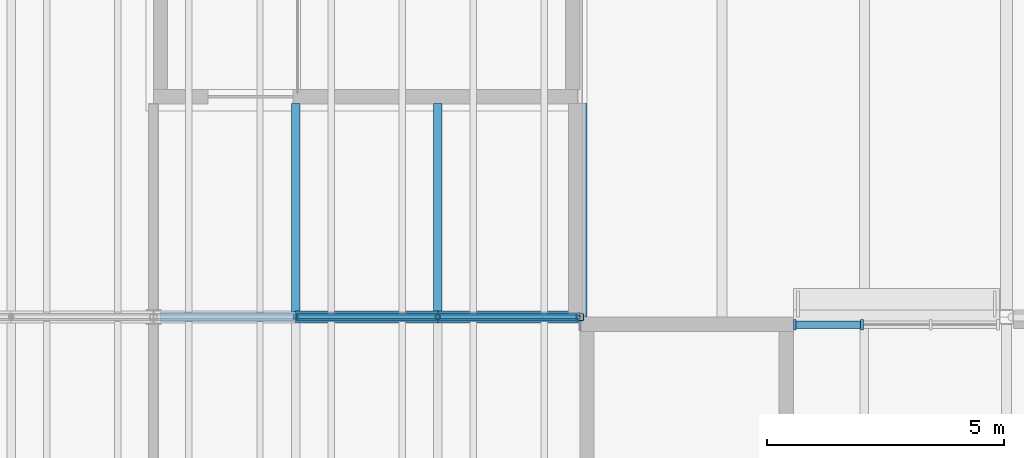
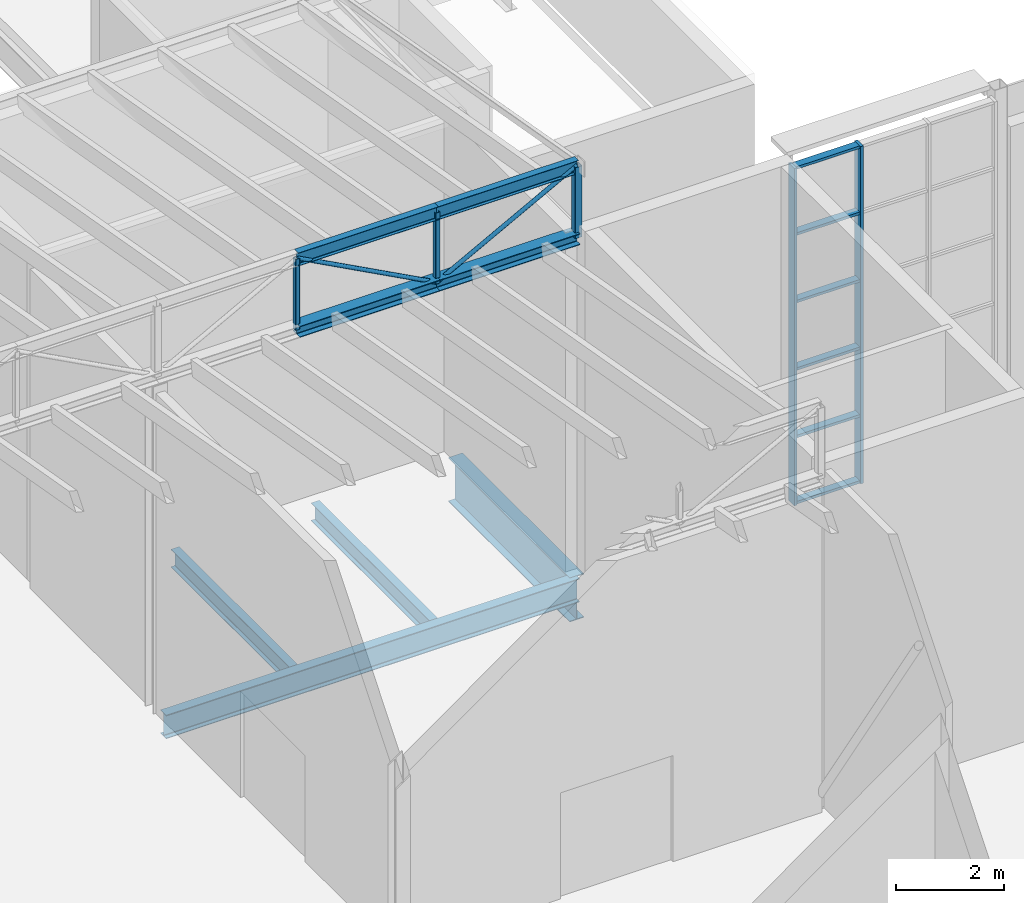
# One storey, part 60 of 90: 17 members, 4 beams, 1 element without a shape of its own.
"""IFC4 building model written with IfcOpenShell, lengths in metres."""

import ifcopenshell
import ifcopenshell.guid

model = None  # the IFC model being written
_history = None  # IfcOwnerHistory: only IFC2X3 demands one
_inside = {}  # id of a spatial element -> (the spatial element, [elements in it])
_under = {}  # id of a project, library or spatial element -> (it, [spatial elements below it])
_declared = {}  # id of a project -> (the project, [libraries it declares])
_typed = {}  # id of a type object -> (the type object, [elements of that type])
_made_of = {}  # id of a material, layer set ... -> (it, [elements and type objects made of it])


def new_model(schema):
    """Start an empty IFC model of exactly this schema.

    Asked for "IFC4X3", IfcOpenShell would pick the latest addendum, in which some entities
    have other attributes; the version numbers below select the first issue.
    IFC2X3 requires an IfcOwnerHistory on every rooted entity: one is made here for all.
    """
    global model, _history
    if schema == "IFC4X3":
        model = ifcopenshell.file(schema_version=(4, 3, 0, 0))
    else:
        model = ifcopenshell.file(schema=schema)
    _inside.clear()
    _under.clear()
    _declared.clear()
    _typed.clear()
    _made_of.clear()
    _history = None
    if model.schema == "IFC2X3":
        org = make("IfcOrganization", Name="unknown")
        user = make(
            "IfcPersonAndOrganization",
            ThePerson=make("IfcPerson", FamilyName="unknown"),
            TheOrganization=org,
        )
        app = make(
            "IfcApplication",
            ApplicationDeveloper=org,
            Version="unknown",
            ApplicationFullName="unknown",
            ApplicationIdentifier="unknown",
        )
        _history = make(
            "IfcOwnerHistory",
            OwningUser=user,
            OwningApplication=app,
            ChangeAction="ADDED",
            CreationDate=0,
        )
    return model


def make(cls, **values):
    """One entity of the class cls with the attributes given. An attribute that is None is left unset."""
    return model.create_entity(
        cls, **{name: value for name, value in values.items() if value is not None}
    )


def rooted(cls, **values):
    """An entity with a GlobalId (a new one), such as an element, a storey or a relation."""
    return make(cls, GlobalId=ifcopenshell.guid.new(), OwnerHistory=_history, **values)


def si_unit(unit_type, name, prefix=None):
    """IfcSIUnit, for example si_unit("LENGTHUNIT", "METRE", prefix="MILLI")."""
    return make("IfcSIUnit", UnitType=unit_type, Prefix=prefix, Name=name)


def assignment(units):
    """IfcUnitAssignment: the units of a project."""
    return None if units is None else make("IfcUnitAssignment", Units=units)


def point(xyz):
    """IfcCartesianPoint."""
    return None if xyz is None else make("IfcCartesianPoint", Coordinates=xyz)


def direction(xyz):
    """IfcDirection."""
    return None if xyz is None else make("IfcDirection", DirectionRatios=xyz)


def frame(location, z_axis=None, x_axis=None):
    """IfcAxis2Placement3D, a coordinate frame: its origin and axes. An axis left out is left unset."""
    return make(
        "IfcAxis2Placement3D",
        Location=point(location),
        Axis=direction(z_axis),
        RefDirection=direction(x_axis),
    )


def frame_2d(location, x_axis=None):
    """IfcAxis2Placement2D, a coordinate frame in the plane: its origin and x axis."""
    return make(
        "IfcAxis2Placement2D", Location=point(location), RefDirection=direction(x_axis)
    )


def origin():
    """The frame at (0, 0, 0) with its axes left unset."""
    return frame((0.0, 0.0, 0.0))


def origin_2d():
    """The frame at (0, 0) in the plane with its x axis left unset."""
    return frame_2d((0.0, 0.0))


def place(relative_to, where):
    """IfcLocalPlacement: puts the frame where relative to a parent placement (None: the world)."""
    return make(
        "IfcLocalPlacement", PlacementRelTo=relative_to, RelativePlacement=where
    )


def context(
    kind, dimensions, precision=None, world=None, true_north=None, identifier=None
):
    """IfcGeometricRepresentationContext, for example the 3D "Model" context."""
    return make(
        "IfcGeometricRepresentationContext",
        ContextIdentifier=identifier,
        ContextType=kind,
        CoordinateSpaceDimension=dimensions,
        Precision=precision,
        WorldCoordinateSystem=world,
        TrueNorth=true_north,
    )


def subcontext(parent, identifier, kind, view, scale=None):
    """IfcGeometricRepresentationSubContext, for example "Body" below "Model"."""
    return make(
        "IfcGeometricRepresentationSubContext",
        ContextIdentifier=identifier,
        ContextType=kind,
        ParentContext=parent,
        TargetScale=scale,
        TargetView=view,
    )


def project(units=None, contexts=None):
    """IfcProject with its units and contexts."""
    return rooted(
        "IfcProject",
        Name="project",
        RepresentationContexts=contexts,
        UnitsInContext=assignment(units),
    )


def spatial(cls, under=None, at=None, **own):
    """A site, building, storey or space (cls), placed at a placement, below another one or the project."""
    s = rooted(cls, ObjectPlacement=at, **own)
    if under is not None:
        _under.setdefault(under.id(), (under, []))[1].append(s)
    return s


def profile(cls, at=None, kind="AREA", **sizes):
    """A parametric profile (cls). Its sizes go by their IFC names, for example OverallWidth=200.0."""
    return make(cls, ProfileType=kind, Position=at, **sizes)


def rectangle(**sizes):
    """IfcRectangleProfileDef."""
    return profile("IfcRectangleProfileDef", **sizes)


def hollow_rectangle(**sizes):
    """IfcRectangleHollowProfileDef."""
    return profile("IfcRectangleHollowProfileDef", **sizes)


def hollow_circle(**sizes):
    """IfcCircleHollowProfileDef."""
    return profile("IfcCircleHollowProfileDef", **sizes)


def i_section(**sizes):
    """IfcIShapeProfileDef."""
    return profile("IfcIShapeProfileDef", **sizes)


def extrude(swept, where, along, depth):
    """IfcExtrudedAreaSolid: the profile swept, set in the frame where, extruded along a direction by depth."""
    return make(
        "IfcExtrudedAreaSolid",
        SweptArea=swept,
        Position=where,
        ExtrudedDirection=direction(along),
        Depth=depth,
    )


def shape(context_of_items, identifier, shape_type, items):
    """IfcShapeRepresentation: the items that make up one representation, for example the "Body"."""
    return make(
        "IfcShapeRepresentation",
        ContextOfItems=context_of_items,
        RepresentationIdentifier=identifier,
        RepresentationType=shape_type,
        Items=items,
    )


def material(Name=None, Category=None):
    """IfcMaterial."""
    return make("IfcMaterial", Name=Name, Category=Category)


def layer(
    of_material, thickness, ventilated=None, Name=None, Category=None, Priority=None
):
    """IfcMaterialLayer: one layer of a wall or slab, of a material (None: an air gap)."""
    return make(
        "IfcMaterialLayer",
        Material=of_material,
        LayerThickness=thickness,
        IsVentilated=ventilated,
        Name=Name,
        Category=Category,
        Priority=Priority,
    )


def layer_set(layers, Name=None):
    """IfcMaterialLayerSet."""
    return make("IfcMaterialLayerSet", MaterialLayers=layers, LayerSetName=Name)


def material_profile(
    of_material, cross_section, Name=None, Category=None, Priority=None
):
    """IfcMaterialProfile: a cross section and its material."""
    return make(
        "IfcMaterialProfile",
        Name=Name,
        Material=of_material,
        Profile=cross_section,
        Priority=Priority,
        Category=Category,
    )


def profile_set(profiles, Name=None, composite=None):
    """IfcMaterialProfileSet."""
    return make(
        "IfcMaterialProfileSet",
        Name=Name,
        MaterialProfiles=profiles,
        CompositeProfile=composite,
    )


def made_of(thing, what):
    """Note that an element or type object is made of a material, layer set ...; save() writes the relation."""
    if what is not None:
        _made_of.setdefault(what.id(), (what, []))[1].append(thing)
    return thing


def type_object(cls, material=None, **own):
    """A type object (cls), such as IfcWallType, which elements share."""
    return made_of(rooted(cls, **own), material)


def element(
    cls,
    number,
    at=None,
    inside=None,
    cuts=None,
    type_object=None,
    material=None,
    context=None,
    identifier="Body",
    shape_type=None,
    held_by="IfcProductDefinitionShape",
    body=None,
    shapes=None,
    **own,
):
    """One element of the class cls, such as IfcWall. Its Tag is "e" and its number.

    at: its placement. inside: the storey or other place that contains it. cuts: it is an
    opening in that element (IfcRelVoidsElement). A single representation is given by context,
    identifier, shape_type and body (its items); several are given by shapes. held_by: the class
    of the entity that holds the representations. save() writes the other relations.
    """
    e = rooted(cls, Tag="e%d" % number, ObjectPlacement=at, **own)
    if body is not None:
        shapes = [shape(context, identifier, shape_type, body)]
    if shapes is not None:
        e.Representation = make(held_by, Representations=shapes)
    if inside is not None:
        _inside.setdefault(inside.id(), (inside, []))[1].append(e)
    if cuts is not None:
        rooted(
            "IfcRelVoidsElement", RelatingBuildingElement=cuts, RelatedOpeningElement=e
        )
    if type_object is not None:
        _typed.setdefault(type_object.id(), (type_object, []))[1].append(e)
    return made_of(e, material)


def aggregate(whole, parts):
    """IfcRelAggregates: a whole, such as a stair, and the parts it consists of."""
    return rooted("IfcRelAggregates", RelatingObject=whole, RelatedObjects=parts)


def save(model, path):
    """Write the relations noted so far, then the file.

    IfcRelAggregates (storeys below a building ...), IfcRelContainedInSpatialStructure (elements
    in a storey), IfcRelDefinesByType, IfcRelAssociatesMaterial and IfcRelDeclares: one each for
    every whole, place, type object, material and project.
    """
    for whole, parts in _under.values():
        aggregate(whole, parts)
    for where, things in _inside.values():
        rooted(
            "IfcRelContainedInSpatialStructure",
            RelatedElements=things,
            RelatingStructure=where,
        )
    for kind, things in _typed.values():
        rooted("IfcRelDefinesByType", RelatedObjects=things, RelatingType=kind)
    for what, things in _made_of.values():
        rooted("IfcRelAssociatesMaterial", RelatedObjects=things, RelatingMaterial=what)
    for by, libraries in _declared.values():
        rooted("IfcRelDeclares", RelatingContext=by, RelatedDefinitions=libraries)
    model.write(path)


model = new_model("IFC4")

# Units and contexts
model_context = context("Model", 3, precision=1e-05, world=origin(), true_north=direction((0.0, 1.0)))
body_context = subcontext(model_context, "Body", "Model", "MODEL_VIEW")
ifc_project = project(units=[si_unit("LENGTHUNIT", "METRE"), si_unit("AREAUNIT", "SQUARE_METRE"), si_unit("VOLUMEUNIT", "CUBIC_METRE"), si_unit("PLANEANGLEUNIT", "RADIAN"), si_unit("MASSUNIT", "GRAM", prefix="KILO")], contexts=[model_context])

# Site, building, storey
site_placement = place(None, origin())
site = spatial("IfcSite", under=ifc_project, at=site_placement, CompositionType="ELEMENT")
building_placement = place(site_placement, origin())
building = spatial("IfcBuilding", under=site, at=building_placement, Name="Halyard Row Museum", CompositionType="ELEMENT")
storey_placement = place(building_placement, frame((0.0, 0.0, 13.39990234375)))
storey = spatial("IfcBuildingStorey", under=building, at=storey_placement, Name="L03", CompositionType="ELEMENT", Elevation=13.39990234375)

# Curtain wall, members
ifc_material_1 = material(Name="Double glazed unit, low-emissivity", Category="glass")
ifc_layer = layer(ifc_material_1, 0.219970703125)
ifc_layer_set = layer_set([ifc_layer], Name="Double glazed unit, low-emissivity")
curtain_wall_type = type_object("IfcCurtainWallType", Name="Curtain wall unitised 220 deep", PredefinedType="NOTDEFINED", material=ifc_layer_set)
curtain_wall_placement = place(storey_placement, origin())
curtain_wall = element("IfcCurtainWall", 1, at=curtain_wall_placement, inside=storey, type_object=curtain_wall_type, Name="Curtain wall CW052", PredefinedType="NOTDEFINED")
ifc_material_2 = material(Name="Powder-coated aluminium section", Category="aluminium")
ifc_material_profile_1 = material_profile(ifc_material_2, rectangle(XDim=0.219970703125, YDim=0.06005859375, at=origin_2d()), Name="220x60 mullion")
ifc_profile_set_1 = profile_set([ifc_material_profile_1], Name="Powder-coated aluminium section")
member_type_1 = type_object("IfcMemberType", Name="Curtain wall mullion CM3 60 x 220", PredefinedType="MULLION", material=ifc_profile_set_1)
member_1_placement = place(storey_placement, frame((77.949951171875, 35.840087890625, 0.0), z_axis=(0.0, 0.0, 1.0), x_axis=(0.0, -1.0, 0.0)))
member_1 = element("IfcMember", 2, at=member_1_placement, type_object=member_type_1, Name="CW052 mullion 3", PredefinedType="MULLION", context=body_context, shape_type="SweptSolid", body=[
    extrude(rectangle(XDim=0.219970703125, YDim=0.06005859375, at=origin_2d()), origin(), (0.0, 0.0, 1.0), 7.635009765625),
])
member_2_placement = place(storey_placement, frame((76.530029296875, 35.840087890625, 0.0), z_axis=(0.0, 0.0, 1.0), x_axis=(0.0, -1.0, 0.0)))
member_2 = element("IfcMember", 3, at=member_2_placement, type_object=member_type_1, Name="CW052 mullion 4", PredefinedType="MULLION", context=body_context, shape_type="SweptSolid", body=[
    extrude(rectangle(XDim=0.219970703125, YDim=0.06005859375, at=origin_2d()), origin(), (0.0, 0.0, 1.0), 7.635009765625),
])
ifc_material_3 = material(Name="Powder-coated aluminium section", Category="aluminium")
ifc_material_profile_2 = material_profile(ifc_material_3, rectangle(XDim=0.159912109375, YDim=0.06005859375, at=origin_2d()), Name="160x60 transom")
ifc_profile_set_2 = profile_set([ifc_material_profile_2], Name="Powder-coated aluminium section")
member_type_2 = type_object("IfcMemberType", Name="Curtain wall transom CT3 60 x 160", PredefinedType="USERDEFINED", material=ifc_profile_set_2)
member_3_placement = place(storey_placement, frame((77.919921875, 35.840087890625, 0.030029296875), z_axis=(-1.0, 0.0, 0.0), x_axis=(0.0, -1.0, 0.0)))
member_3 = element("IfcMember", 4, at=member_3_placement, type_object=member_type_2, Name="CW052 transom 3.1", ObjectType="TRANSOM", PredefinedType="USERDEFINED", context=body_context, shape_type="SweptSolid", body=[
    extrude(rectangle(XDim=0.159912109375, YDim=0.06005859375, at=origin_2d()), origin(), (0.0, 0.0, 1.0), 1.35986328125),
])
member_4_placement = place(storey_placement, frame((77.919921875, 35.840087890625, 1.527099609375), z_axis=(-1.0, 0.0, 0.0), x_axis=(0.0, -1.0, 0.0)))
member_4 = element("IfcMember", 5, at=member_4_placement, type_object=member_type_2, Name="CW052 transom 3.2", ObjectType="TRANSOM", PredefinedType="USERDEFINED", context=body_context, shape_type="SweptSolid", body=[
    extrude(rectangle(XDim=0.159912109375, YDim=0.06005859375, at=origin_2d()), origin(), (0.0, 0.0, 1.0), 1.35986328125),
])
member_5_placement = place(storey_placement, frame((77.919921875, 35.840087890625, 3.05419921875), z_axis=(-1.0, 0.0, 0.0), x_axis=(0.0, -1.0, 0.0)))
member_5 = element("IfcMember", 6, at=member_5_placement, type_object=member_type_2, Name="CW052 transom 3.3", ObjectType="TRANSOM", PredefinedType="USERDEFINED", context=body_context, shape_type="SweptSolid", body=[
    extrude(rectangle(XDim=0.159912109375, YDim=0.06005859375, at=origin_2d()), origin(), (0.0, 0.0, 1.0), 1.35986328125),
])
member_6_placement = place(storey_placement, frame((77.919921875, 35.840087890625, 4.5810546875), z_axis=(-1.0, 0.0, 0.0), x_axis=(0.0, -1.0, 0.0)))
member_6 = element("IfcMember", 7, at=member_6_placement, type_object=member_type_2, Name="CW052 transom 3.4", ObjectType="TRANSOM", PredefinedType="USERDEFINED", context=body_context, shape_type="SweptSolid", body=[
    extrude(rectangle(XDim=0.159912109375, YDim=0.06005859375, at=origin_2d()), origin(), (0.0, 0.0, 1.0), 1.35986328125),
])
member_7_placement = place(storey_placement, frame((77.919921875, 35.840087890625, 6.108154296875), z_axis=(-1.0, 0.0, 0.0), x_axis=(0.0, -1.0, 0.0)))
member_7 = element("IfcMember", 8, at=member_7_placement, type_object=member_type_2, Name="CW052 transom 3.5", ObjectType="TRANSOM", PredefinedType="USERDEFINED", context=body_context, shape_type="SweptSolid", body=[
    extrude(rectangle(XDim=0.159912109375, YDim=0.06005859375, at=origin_2d()), origin(), (0.0, 0.0, 1.0), 1.35986328125),
])
member_8_placement = place(storey_placement, frame((77.919921875, 35.840087890625, 7.60498046875), z_axis=(-1.0, 0.0, 0.0), x_axis=(0.0, -1.0, 0.0)))
member_8 = element("IfcMember", 9, at=member_8_placement, type_object=member_type_2, Name="CW052 transom 3.6", ObjectType="TRANSOM", PredefinedType="USERDEFINED", context=body_context, shape_type="SweptSolid", body=[
    extrude(rectangle(XDim=0.159912109375, YDim=0.06005859375, at=origin_2d()), origin(), (0.0, 0.0, 1.0), 1.35986328125),
])
aggregate(curtain_wall, [member_1, member_2, member_3, member_4, member_5, member_6, member_7, member_8])

# Beams
ifc_material_4 = material(Name="Steel Grade 300", Category="steel")
ifc_material_profile_3 = material_profile(ifc_material_4, i_section(OverallWidth=0.208984375, OverallDepth=0.532958984375, WebThickness=0.01025390625, FlangeThickness=0.015625, FilletRadius=0.013916015625, at=origin_2d()), Name="530UB92.4")
ifc_profile_set_3 = profile_set([ifc_material_profile_3], Name="Steel Grade 300")
beam_type_1 = type_object("IfcBeamType", Name="Girder beam 530UB92.4", PredefinedType="BEAM", material=ifc_profile_set_3)
beam_1_placement = place(storey_placement, frame((63.152587890625, 36.0, -0.431396484375), z_axis=(1.0, 0.0, 0.0), x_axis=(0.0, 1.0, 0.0)))
element("IfcBeam", 10, at=beam_1_placement, inside=storey, type_object=beam_type_1, Name="Beam L03-031", PredefinedType="BEAM", context=body_context, shape_type="SweptSolid", body=[
    extrude(i_section(OverallWidth=0.208984375, OverallDepth=0.532958984375, WebThickness=0.01025390625, FlangeThickness=0.015625, FilletRadius=0.013916015625, at=origin_2d()), origin(), (0.0, 0.0, 1.0), 8.847412109375),
])
ifc_material_5 = material(Name="Steel Grade 300", Category="steel")
ifc_material_profile_4 = material_profile(ifc_material_5, i_section(OverallWidth=0.177978515625, OverallDepth=0.406494140625, WebThickness=0.0078125, FlangeThickness=0.0126953125, FilletRadius=0.011474609375, at=origin_2d()), Name="410UB59.7")
ifc_profile_set_4 = profile_set([ifc_material_profile_4], Name="Steel Grade 300")
beam_type_2 = type_object("IfcBeamType", Name="Secondary beam 410UB59.7", PredefinedType="BEAM", material=ifc_profile_set_4)
for number, where, z_axis, x_axis, name in (
    (11, (66.0, 36.1044921875, -0.3681640625), (0.0, 1.0, 0.0), (-1.0, 0.0, 0.0), "Beam L03-131"),
    (12, (69.0, 36.1044921875, -0.3681640625), (0.0, 1.0, 0.0), (-1.0, 0.0, 0.0), "Beam L03-132"),
):
    element("IfcBeam", number, at=place(storey_placement, frame(where, z_axis=z_axis, x_axis=x_axis)), inside=storey, type_object=beam_type_2, Name=name, PredefinedType="BEAM", context=body_context, shape_type="SweptSolid", body=[
        extrude(i_section(OverallWidth=0.177978515625, OverallDepth=0.406494140625, WebThickness=0.0078125, FlangeThickness=0.0126953125, FilletRadius=0.011474609375, at=origin_2d()), origin(), (0.0, 0.0, 1.0), 4.3955078125),
    ])
ifc_material_6 = material(Name="Steel Grade 300", Category="steel")
ifc_material_profile_5 = material_profile(ifc_material_6, i_section(OverallWidth=0.300048828125, OverallDepth=1.0, WebThickness=0.01611328125, FlangeThickness=0.02001953125, at=origin_2d()), Name="1000WB215")
ifc_profile_set_5 = profile_set([ifc_material_profile_5], Name="Steel Grade 300")
beam_type_3 = type_object("IfcBeamType", Name="Stepped beam 1000WB215", PredefinedType="BEAM", material=ifc_profile_set_5)
beam_2_placement = place(storey_placement, frame((72.0, 36.0, -0.664794921875), z_axis=(0.0, 1.0, 0.0), x_axis=(-1.0, 0.0, 0.0)))
element("IfcBeam", 13, at=beam_2_placement, inside=storey, type_object=beam_type_3, Name="Beam L03-054", PredefinedType="BEAM", context=body_context, shape_type="SweptSolid", body=[
    extrude(i_section(OverallWidth=0.300048828125, OverallDepth=1.0, WebThickness=0.01611328125, FlangeThickness=0.02001953125, at=origin_2d()), origin(), (0.0, 0.0, 1.0), 4.5),
])

# Members
ifc_material_7 = material(Name="Steel Grade 300", Category="steel")
ifc_material_profile_6 = material_profile(ifc_material_7, i_section(OverallWidth=0.25390625, OverallDepth=0.25390625, WebThickness=0.008544921875, FlangeThickness=0.01416015625, FilletRadius=0.013916015625, at=origin_2d()), Name="250UC72.9")
ifc_profile_set_6 = profile_set([ifc_material_profile_6], Name="Steel Grade 300")
member_type_3 = type_object("IfcMemberType", Name="Valley truss bottom chord 250UC72.9", PredefinedType="CHORD", material=ifc_profile_set_6)
for number, where, z_axis, x_axis, name in (
    (14, (66.0, 36.0, 7.527099609375), (1.0, 0.0, 0.0), (0.0, 1.0, 0.0), "V1-VT3 bottom chord 5.2"),
    (15, (69.0, 36.0, 7.527099609375), (1.0, 0.0, 0.0), (0.0, 1.0, 0.0), "V1-VT3 bottom chord 5.3"),
):
    element("IfcMember", number, at=place(storey_placement, frame(where, z_axis=z_axis, x_axis=x_axis)), inside=storey, type_object=member_type_3, Name=name, PredefinedType="CHORD", context=body_context, shape_type="SweptSolid", body=[
        extrude(i_section(OverallWidth=0.25390625, OverallDepth=0.25390625, WebThickness=0.008544921875, FlangeThickness=0.01416015625, FilletRadius=0.013916015625, at=origin_2d()), origin(), (0.0, 0.0, 1.0), 3.0),
    ])
ifc_material_8 = material(Name="Steel Grade C250L0", Category="steel")
ifc_material_profile_7 = material_profile(ifc_material_8, hollow_circle(Radius=0.04443359375, WallThickness=0.0048828125, at=origin_2d()), Name="88.9x5.0CHS")
ifc_profile_set_7 = profile_set([ifc_material_profile_7], Name="Steel Grade C250L0")
member_type_4 = type_object("IfcMemberType", Name="Valley truss diagonal 88.9x5.0CHS", PredefinedType="BRACE", material=ifc_profile_set_7)
for number, where, z_axis, x_axis, name in (
    (16, (66.0, 36.0, 9.131103515625), (0.881863759518, 0.0, -0.471504305016), (0.0, 1.0, 0.0), "V1-VT3 diagonal 5.2"),
    (17, (69.0, 36.0, 7.527099609375), (0.881863759518, 0.0, 0.471504305016), (0.0, 1.0, 0.0), "V1-VT3 diagonal 5.3"),
):
    element("IfcMember", number, at=place(storey_placement, frame(where, z_axis=z_axis, x_axis=x_axis)), inside=storey, type_object=member_type_4, Name=name, PredefinedType="BRACE", context=body_context, shape_type="SweptSolid", body=[
        extrude(hollow_circle(Radius=0.04443359375, WallThickness=0.0048828125, at=origin_2d()), origin(), (0.0, 0.0, 1.0), 3.40185546875),
    ])
ifc_material_9 = material(Name="Steel Grade C350L0", Category="steel")
ifc_material_profile_8 = material_profile(ifc_material_9, hollow_rectangle(XDim=0.10009765625, YDim=0.10009765625, WallThickness=0.006103515625, InnerFilletRadius=0.009033203125, OuterFilletRadius=0.014892578125, at=origin_2d()), Name="100x100x6.0SHS")
ifc_profile_set_8 = profile_set([ifc_material_profile_8], Name="Steel Grade C350L0")
member_type_5 = type_object("IfcMemberType", Name="Valley truss post 100x100x6.0SHS", PredefinedType="POST", material=ifc_profile_set_8)
for number, where, z_axis, x_axis, name in (
    (18, (66.0, 36.0, 7.527099609375), (0.0, 0.0, 1.0), (1.0, 0.0, 0.0), "V1-VT3 post 5.1"),
    (19, (69.0, 36.0, 7.527099609375), (0.0, 0.0, 1.0), (1.0, 0.0, 0.0), "V1-VT3 post 5.2"),
):
    element("IfcMember", number, at=place(storey_placement, frame(where, z_axis=z_axis, x_axis=x_axis)), inside=storey, type_object=member_type_5, Name=name, PredefinedType="POST", context=body_context, shape_type="SweptSolid", body=[
        extrude(hollow_rectangle(XDim=0.10009765625, YDim=0.10009765625, WallThickness=0.006103515625, InnerFilletRadius=0.009033203125, OuterFilletRadius=0.014892578125, at=origin_2d()), origin(), (0.0, 0.0, 1.0), 1.60400390625),
    ])
ifc_material_10 = material(Name="Steel Grade C350L0", Category="steel")
ifc_material_profile_9 = material_profile(ifc_material_10, hollow_rectangle(XDim=0.14990234375, YDim=0.14990234375, WallThickness=0.006103515625, InnerFilletRadius=0.009033203125, OuterFilletRadius=0.014892578125, at=origin_2d()), Name="150x150x6.0SHS")
ifc_profile_set_9 = profile_set([ifc_material_profile_9], Name="Steel Grade C350L0")
member_type_6 = type_object("IfcMemberType", Name="Valley truss post 150x150x6.0SHS", PredefinedType="POST", material=ifc_profile_set_9)
member_9_placement = place(storey_placement, frame((72.0, 36.0, 7.527099609375), z_axis=(0.0, 0.0, 1.0), x_axis=(1.0, 0.0, 0.0)))
element("IfcMember", 20, at=member_9_placement, inside=storey, type_object=member_type_6, Name="V1-VT3 post 5.3", PredefinedType="POST", context=body_context, shape_type="SweptSolid", body=[
    extrude(hollow_rectangle(XDim=0.14990234375, YDim=0.14990234375, WallThickness=0.006103515625, InnerFilletRadius=0.009033203125, OuterFilletRadius=0.014892578125, at=origin_2d()), origin(), (0.0, 0.0, 1.0), 1.60400390625),
])
ifc_material_11 = material(Name="Steel Grade 300", Category="steel")
ifc_material_profile_10 = material_profile(ifc_material_11, i_section(OverallWidth=0.14892578125, OverallDepth=0.298095703125, WebThickness=0.005615234375, FlangeThickness=0.008056640625, FilletRadius=0.012939453125, at=origin_2d()), Name="310UB32.0")
ifc_profile_set_10 = profile_set([ifc_material_profile_10], Name="Steel Grade 300")
member_type_7 = type_object("IfcMemberType", Name="Valley truss top chord 310UB32.0", PredefinedType="CHORD", material=ifc_profile_set_10)
for number, where, z_axis, x_axis, name in (
    (21, (66.0, 36.0, 9.131103515625), (1.0, 0.0, 0.0), (0.0, 1.0, 0.0), "V1-VT3 top chord 5.2"),
    (22, (69.0, 36.0, 9.131103515625), (1.0, 0.0, 0.0), (0.0, 1.0, 0.0), "V1-VT3 top chord 5.3"),
):
    element("IfcMember", number, at=place(storey_placement, frame(where, z_axis=z_axis, x_axis=x_axis)), inside=storey, type_object=member_type_7, Name=name, PredefinedType="CHORD", context=body_context, shape_type="SweptSolid", body=[
        extrude(i_section(OverallWidth=0.14892578125, OverallDepth=0.298095703125, WebThickness=0.005615234375, FlangeThickness=0.008056640625, FilletRadius=0.012939453125, at=origin_2d()), origin(), (0.0, 0.0, 1.0), 3.0),
    ])

save(model, "model.ifc")
